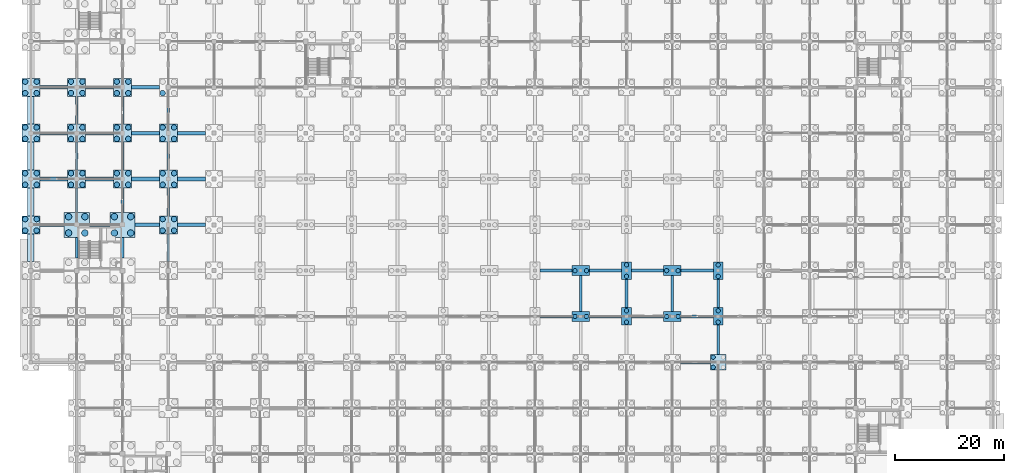
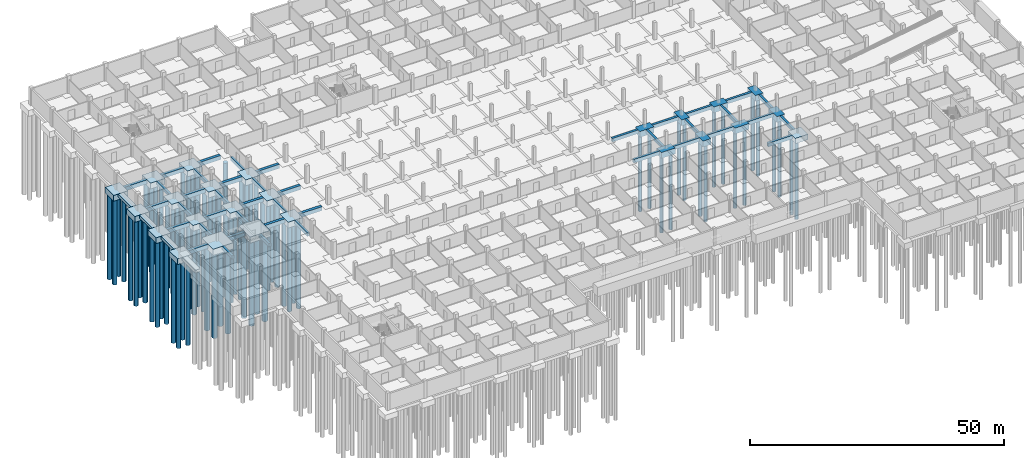
# One storey, part 6 of 43: 79 piles, 69 footings.
"""IFC4 building model written with IfcOpenShell, lengths in metres."""

from ifc_helpers import new_model, si_unit, direction, frame, origin, origin_2d, place, context, subcontext, project, spatial, rectangle, circle, extrude, material, material_profile, profile_set, type_object, element, save


model = new_model("IFC4")

# Units and contexts
model_context = context("Model", 3, precision=1e-05, world=origin(), true_north=direction((0.0, 1.0)))
body_context = subcontext(model_context, "Body", "Model", "MODEL_VIEW")
ifc_project = project(units=[si_unit("LENGTHUNIT", "METRE"), si_unit("AREAUNIT", "SQUARE_METRE"), si_unit("VOLUMEUNIT", "CUBIC_METRE"), si_unit("PLANEANGLEUNIT", "RADIAN"), si_unit("MASSUNIT", "GRAM", prefix="KILO")], contexts=[model_context])

# Site, building, storey
site_placement = place(None, origin())
site = spatial("IfcSite", under=ifc_project, at=site_placement, CompositionType="ELEMENT")
building_placement = place(site_placement, origin())
building = spatial("IfcBuilding", under=site, at=building_placement, Name="Varnapada Polytechnic", CompositionType="ELEMENT")
storey_placement = place(building_placement, frame((0.0, 0.0, -4.199951171875)))
storey = spatial("IfcBuildingStorey", under=building, at=storey_placement, Name="B1", CompositionType="ELEMENT", Elevation=-4.199951171875)

# Piles
ifc_material = material(Name="Concrete C40/50", Category="concrete")
ifc_material_profile_1 = material_profile(ifc_material, circle(Radius=0.5, at=origin_2d()), Name="BP 1000")
ifc_profile_set_1 = profile_set([ifc_material_profile_1], Name="Concrete C40/50")
pile_type_1 = type_object("IfcPileType", Name="Bored Pile BP 1000", PredefinedType="BORED", material=ifc_profile_set_1)
for number, where, z_axis, x_axis, name in (
    (1, (-1.050048828125, 66.14990234375, -1.300048828125), (0.0, 0.0, -1.0), (1.0, 0.0, 0.0), "Bored pile P-01 under CAP-00-08 (1)"),
    (2, (1.050048828125, 66.14990234375, -1.300048828125), (0.0, 0.0, -1.0), (1.0, 0.0, 0.0), "Bored pile P-01 under CAP-00-08 (2)"),
    (3, (-1.050048828125, 68.25, -1.300048828125), (0.0, 0.0, -1.0), (1.0, 0.0, 0.0), "Bored pile P-01 under CAP-00-08 (3)"),
    (4, (1.050048828125, 68.25, -1.300048828125), (0.0, 0.0, -1.0), (1.0, 0.0, 0.0), "Bored pile P-01 under CAP-00-08 (4)"),
    (5, (-1.050048828125, 74.550048828125, -1.300048828125), (0.0, 0.0, -1.0), (1.0, 0.0, 0.0), "Bored pile P-01 under CAP-00-09 (1)"),
    (6, (1.050048828125, 74.550048828125, -1.300048828125), (0.0, 0.0, -1.0), (1.0, 0.0, 0.0), "Bored pile P-01 under CAP-00-09 (2)"),
    (7, (-1.050048828125, 76.64990234375, -1.300048828125), (0.0, 0.0, -1.0), (1.0, 0.0, 0.0), "Bored pile P-01 under CAP-00-09 (3)"),
    (8, (1.050048828125, 76.64990234375, -1.300048828125), (0.0, 0.0, -1.0), (1.0, 0.0, 0.0), "Bored pile P-01 under CAP-00-09 (4)"),
    (9, (-1.050048828125, 82.949951171875, -1.300048828125), (0.0, 0.0, -1.0), (1.0, 0.0, 0.0), "Bored pile P-01 under CAP-00-10 (1)"),
    (10, (1.050048828125, 82.949951171875, -1.300048828125), (0.0, 0.0, -1.0), (1.0, 0.0, 0.0), "Bored pile P-01 under CAP-00-10 (2)"),
    (11, (-1.050048828125, 85.050048828125, -1.300048828125), (0.0, 0.0, -1.0), (1.0, 0.0, 0.0), "Bored pile P-01 under CAP-00-10 (3)"),
    (12, (1.050048828125, 85.050048828125, -1.300048828125), (0.0, 0.0, -1.0), (1.0, 0.0, 0.0), "Bored pile P-01 under CAP-00-10 (4)"),
    (13, (-1.050048828125, 91.35009765625, -1.300048828125), (0.0, 0.0, -1.0), (1.0, 0.0, 0.0), "Bored pile P-01 under CAP-00-11 (1)"),
    (14, (1.050048828125, 91.35009765625, -1.300048828125), (0.0, 0.0, -1.0), (1.0, 0.0, 0.0), "Bored pile P-01 under CAP-00-11 (2)"),
    (15, (-1.050048828125, 93.449951171875, -1.300048828125), (0.0, 0.0, -1.0), (1.0, 0.0, 0.0), "Bored pile P-01 under CAP-00-11 (3)"),
    (16, (1.050048828125, 93.449951171875, -1.300048828125), (0.0, 0.0, -1.0), (1.0, 0.0, 0.0), "Bored pile P-01 under CAP-00-11 (4)"),
    (17, (7.35009765625, 74.550048828125, -1.300048828125), (0.0, 0.0, -1.0), (1.0, 0.0, 0.0), "Bored pile P-01 under CAP-01-09 (1)"),
    (18, (9.449951171875, 74.550048828125, -1.300048828125), (0.0, 0.0, -1.0), (1.0, 0.0, 0.0), "Bored pile P-01 under CAP-01-09 (2)"),
    (19, (7.35009765625, 76.64990234375, -1.300048828125), (0.0, 0.0, -1.0), (1.0, 0.0, 0.0), "Bored pile P-01 under CAP-01-09 (3)"),
    (20, (9.449951171875, 76.64990234375, -1.300048828125), (0.0, 0.0, -1.0), (1.0, 0.0, 0.0), "Bored pile P-01 under CAP-01-09 (4)"),
    (21, (7.35009765625, 82.949951171875, -1.300048828125), (0.0, 0.0, -1.0), (1.0, 0.0, 0.0), "Bored pile P-01 under CAP-01-10 (1)"),
    (22, (9.449951171875, 82.949951171875, -1.300048828125), (0.0, 0.0, -1.0), (1.0, 0.0, 0.0), "Bored pile P-01 under CAP-01-10 (2)"),
    (23, (7.35009765625, 85.050048828125, -1.300048828125), (0.0, 0.0, -1.0), (1.0, 0.0, 0.0), "Bored pile P-01 under CAP-01-10 (3)"),
    (24, (9.449951171875, 85.050048828125, -1.300048828125), (0.0, 0.0, -1.0), (1.0, 0.0, 0.0), "Bored pile P-01 under CAP-01-10 (4)"),
    (25, (7.35009765625, 91.35009765625, -1.300048828125), (0.0, 0.0, -1.0), (1.0, 0.0, 0.0), "Bored pile P-01 under CAP-01-11 (1)"),
    (26, (9.449951171875, 91.35009765625, -1.300048828125), (0.0, 0.0, -1.0), (1.0, 0.0, 0.0), "Bored pile P-01 under CAP-01-11 (2)"),
    (27, (7.35009765625, 93.449951171875, -1.300048828125), (0.0, 0.0, -1.0), (1.0, 0.0, 0.0), "Bored pile P-01 under CAP-01-11 (3)"),
    (28, (9.449951171875, 93.449951171875, -1.300048828125), (0.0, 0.0, -1.0), (1.0, 0.0, 0.0), "Bored pile P-01 under CAP-01-11 (4)"),
    (29, (15.75, 74.550048828125, -1.300048828125), (0.0, 0.0, -1.0), (1.0, 0.0, 0.0), "Bored pile P-01 under CAP-02-09 (1)"),
    (30, (17.85009765625, 74.550048828125, -1.300048828125), (0.0, 0.0, -1.0), (1.0, 0.0, 0.0), "Bored pile P-01 under CAP-02-09 (2)"),
    (31, (15.75, 76.64990234375, -1.300048828125), (0.0, 0.0, -1.0), (1.0, 0.0, 0.0), "Bored pile P-01 under CAP-02-09 (3)"),
    (32, (17.85009765625, 76.64990234375, -1.300048828125), (0.0, 0.0, -1.0), (1.0, 0.0, 0.0), "Bored pile P-01 under CAP-02-09 (4)"),
    (33, (15.75, 82.949951171875, -1.300048828125), (0.0, 0.0, -1.0), (1.0, 0.0, 0.0), "Bored pile P-01 under CAP-02-10 (1)"),
    (34, (17.85009765625, 82.949951171875, -1.300048828125), (0.0, 0.0, -1.0), (1.0, 0.0, 0.0), "Bored pile P-01 under CAP-02-10 (2)"),
    (35, (15.75, 85.050048828125, -1.300048828125), (0.0, 0.0, -1.0), (1.0, 0.0, 0.0), "Bored pile P-01 under CAP-02-10 (3)"),
    (36, (17.85009765625, 85.050048828125, -1.300048828125), (0.0, 0.0, -1.0), (1.0, 0.0, 0.0), "Bored pile P-01 under CAP-02-10 (4)"),
    (37, (15.75, 91.35009765625, -1.300048828125), (0.0, 0.0, -1.0), (1.0, 0.0, 0.0), "Bored pile P-01 under CAP-02-11 (1)"),
    (38, (17.85009765625, 91.35009765625, -1.300048828125), (0.0, 0.0, -1.0), (1.0, 0.0, 0.0), "Bored pile P-01 under CAP-02-11 (2)"),
    (39, (15.75, 93.449951171875, -1.300048828125), (0.0, 0.0, -1.0), (1.0, 0.0, 0.0), "Bored pile P-01 under CAP-02-11 (3)"),
    (40, (17.85009765625, 93.449951171875, -1.300048828125), (0.0, 0.0, -1.0), (1.0, 0.0, 0.0), "Bored pile P-01 under CAP-02-11 (4)"),
    (41, (24.14990234375, 66.14990234375, -1.300048828125), (0.0, 0.0, -1.0), (1.0, 0.0, 0.0), "Bored pile P-01 under CAP-03-08 (1)"),
    (42, (26.25, 66.14990234375, -1.300048828125), (0.0, 0.0, -1.0), (1.0, 0.0, 0.0), "Bored pile P-01 under CAP-03-08 (2)"),
    (43, (24.14990234375, 68.25, -1.300048828125), (0.0, 0.0, -1.0), (1.0, 0.0, 0.0), "Bored pile P-01 under CAP-03-08 (3)"),
    (44, (26.25, 68.25, -1.300048828125), (0.0, 0.0, -1.0), (1.0, 0.0, 0.0), "Bored pile P-01 under CAP-03-08 (4)"),
    (45, (24.14990234375, 74.550048828125, -1.300048828125), (0.0, 0.0, -1.0), (1.0, 0.0, 0.0), "Bored pile P-01 under CAP-03-09 (1)"),
    (46, (26.25, 74.550048828125, -1.300048828125), (0.0, 0.0, -1.0), (1.0, 0.0, 0.0), "Bored pile P-01 under CAP-03-09 (2)"),
    (47, (24.14990234375, 76.64990234375, -1.300048828125), (0.0, 0.0, -1.0), (1.0, 0.0, 0.0), "Bored pile P-01 under CAP-03-09 (3)"),
    (48, (26.25, 76.64990234375, -1.300048828125), (0.0, 0.0, -1.0), (1.0, 0.0, 0.0), "Bored pile P-01 under CAP-03-09 (4)"),
    (49, (24.14990234375, 82.949951171875, -1.300048828125), (0.0, 0.0, -1.0), (1.0, 0.0, 0.0), "Bored pile P-01 under CAP-03-10 (1)"),
    (50, (26.25, 82.949951171875, -1.300048828125), (0.0, 0.0, -1.0), (1.0, 0.0, 0.0), "Bored pile P-01 under CAP-03-10 (2)"),
    (51, (24.14990234375, 85.050048828125, -1.300048828125), (0.0, 0.0, -1.0), (1.0, 0.0, 0.0), "Bored pile P-01 under CAP-03-10 (3)"),
    (52, (26.25, 85.050048828125, -1.300048828125), (0.0, 0.0, -1.0), (1.0, 0.0, 0.0), "Bored pile P-01 under CAP-03-10 (4)"),
    (53, (24.14990234375, 91.35009765625, -1.300048828125), (0.0, 0.0, -1.0), (1.0, 0.0, 0.0), "Bored pile P-01 under CAP-03-11 (1)"),
):
    element("IfcPile", number, at=place(storey_placement, frame(where, z_axis=z_axis, x_axis=x_axis)), inside=storey, type_object=pile_type_1, Name=name, PredefinedType="BORED", context=body_context, shape_type="SweptSolid", body=[
        extrude(circle(Radius=0.5, at=origin_2d()), origin(), (0.0, 0.0, 1.0), 20.5),
    ])
ifc_material_profile_2 = material_profile(ifc_material, circle(Radius=0.60009765625, at=origin_2d()), Name="BP 1200")
ifc_profile_set_2 = profile_set([ifc_material_profile_2], Name="Concrete C40/50")
pile_type_2 = type_object("IfcPileType", Name="Bored Pile BP 1200", PredefinedType="BORED", material=ifc_profile_set_2)
for number, where, z_axis, x_axis, name in (
    (54, (6.89990234375, 65.699951171875, -1.400146484375), (0.0, 0.0, -1.0), (1.0, 0.0, 0.0), "Bored pile P-06 under CAP-01-08 (1)"),
    (55, (9.89990234375, 65.699951171875, -1.400146484375), (0.0, 0.0, -1.0), (1.0, 0.0, 0.0), "Bored pile P-06 under CAP-01-08 (2)"),
    (56, (6.89990234375, 68.699951171875, -1.400146484375), (0.0, 0.0, -1.0), (1.0, 0.0, 0.0), "Bored pile P-06 under CAP-01-08 (3)"),
    (57, (9.89990234375, 68.699951171875, -1.400146484375), (0.0, 0.0, -1.0), (1.0, 0.0, 0.0), "Bored pile P-06 under CAP-01-08 (4)"),
    (58, (15.300048828125, 65.699951171875, -1.400146484375), (0.0, 0.0, -1.0), (1.0, 0.0, 0.0), "Bored pile P-06 under CAP-02-08 (1)"),
    (59, (18.300048828125, 65.699951171875, -1.400146484375), (0.0, 0.0, -1.0), (1.0, 0.0, 0.0), "Bored pile P-06 under CAP-02-08 (2)"),
    (60, (15.300048828125, 68.699951171875, -1.400146484375), (0.0, 0.0, -1.0), (1.0, 0.0, 0.0), "Bored pile P-06 under CAP-02-08 (3)"),
    (61, (18.300048828125, 68.699951171875, -1.400146484375), (0.0, 0.0, -1.0), (1.0, 0.0, 0.0), "Bored pile P-06 under CAP-02-08 (4)"),
):
    element("IfcPile", number, at=place(storey_placement, frame(where, z_axis=z_axis, x_axis=x_axis)), inside=storey, type_object=pile_type_2, Name=name, PredefinedType="BORED", context=body_context, shape_type="SweptSolid", body=[
        extrude(circle(Radius=0.60009765625, at=origin_2d()), origin(), (0.0, 0.0, 1.0), 20.39990234375),
    ])
ifc_material_profile_3 = material_profile(ifc_material, circle(Radius=0.39990234375, at=origin_2d()), Name="BP 800")
ifc_profile_set_3 = profile_set([ifc_material_profile_3], Name="Concrete C40/50")
pile_type_3 = type_object("IfcPileType", Name="Bored Pile BP 800", PredefinedType="BORED", material=ifc_profile_set_3)
for number, where, z_axis, x_axis, name in (
    (62, (99.75, 50.39990234375, -1.300048828125), (0.0, 0.0, -1.0), (1.0, 0.0, 0.0), "Bored pile P-03 under CAP-12-06 (1)"),
    (63, (101.85009765625, 50.39990234375, -1.300048828125), (0.0, 0.0, -1.0), (1.0, 0.0, 0.0), "Bored pile P-03 under CAP-12-06 (2)"),
    (64, (99.75, 58.800048828125, -1.300048828125), (0.0, 0.0, -1.0), (1.0, 0.0, 0.0), "Bored pile P-03 under CAP-12-07 (1)"),
    (65, (101.85009765625, 58.800048828125, -1.300048828125), (0.0, 0.0, -1.0), (1.0, 0.0, 0.0), "Bored pile P-03 under CAP-12-07 (2)"),
    (66, (109.199951171875, 49.35009765625, -1.300048828125), (0.0, 0.0, -1.0), (1.0, 0.0, 0.0), "Bored pile P-03 under CAP-13-06 (1)"),
    (67, (109.199951171875, 51.449951171875, -1.300048828125), (0.0, 0.0, -1.0), (1.0, 0.0, 0.0), "Bored pile P-03 under CAP-13-06 (2)"),
    (68, (109.199951171875, 57.75, -1.300048828125), (0.0, 0.0, -1.0), (1.0, 0.0, 0.0), "Bored pile P-03 under CAP-13-07 (1)"),
    (69, (109.199951171875, 59.85009765625, -1.300048828125), (0.0, 0.0, -1.0), (1.0, 0.0, 0.0), "Bored pile P-03 under CAP-13-07 (2)"),
    (70, (116.550048828125, 50.39990234375, -1.300048828125), (0.0, 0.0, -1.0), (1.0, 0.0, 0.0), "Bored pile P-03 under CAP-14-06 (1)"),
    (71, (118.64990234375, 50.39990234375, -1.300048828125), (0.0, 0.0, -1.0), (1.0, 0.0, 0.0), "Bored pile P-03 under CAP-14-06 (2)"),
    (72, (116.550048828125, 58.800048828125, -1.300048828125), (0.0, 0.0, -1.0), (1.0, 0.0, 0.0), "Bored pile P-03 under CAP-14-07 (1)"),
    (73, (118.64990234375, 58.800048828125, -1.300048828125), (0.0, 0.0, -1.0), (1.0, 0.0, 0.0), "Bored pile P-03 under CAP-14-07 (2)"),
):
    element("IfcPile", number, at=place(storey_placement, frame(where, z_axis=z_axis, x_axis=x_axis)), inside=storey, type_object=pile_type_3, Name=name, PredefinedType="BORED", context=body_context, shape_type="SweptSolid", body=[
        extrude(circle(Radius=0.39990234375, at=origin_2d()), origin(), (0.0, 0.0, 1.0), 18.5),
    ])
for number, where, z_axis, x_axis, name in (
    (74, (125.080078125, 41.080078125, -1.199951171875), (0.0, 0.0, -1.0), (1.0, 0.0, 0.0), "Bored pile P-03 under CAP-15-05 (1)"),
    (75, (125.080078125, 42.919921875, -1.199951171875), (0.0, 0.0, -1.0), (1.0, 0.0, 0.0), "Bored pile P-03 under CAP-15-05 (3)"),
):
    element("IfcPile", number, at=place(storey_placement, frame(where, z_axis=z_axis, x_axis=x_axis)), inside=storey, type_object=pile_type_3, Name=name, PredefinedType="BORED", context=body_context, shape_type="SweptSolid", body=[
        extrude(circle(Radius=0.39990234375, at=origin_2d()), origin(), (0.0, 0.0, 1.0), 18.60009765625),
    ])
for number, where, z_axis, x_axis, name in (
    (76, (126.0, 49.35009765625, -1.300048828125), (0.0, 0.0, -1.0), (1.0, 0.0, 0.0), "Bored pile P-03 under CAP-15-06 (1)"),
    (77, (126.0, 51.449951171875, -1.300048828125), (0.0, 0.0, -1.0), (1.0, 0.0, 0.0), "Bored pile P-03 under CAP-15-06 (2)"),
    (78, (126.0, 57.75, -1.300048828125), (0.0, 0.0, -1.0), (1.0, 0.0, 0.0), "Bored pile P-03 under CAP-15-07 (1)"),
    (79, (126.0, 59.85009765625, -1.300048828125), (0.0, 0.0, -1.0), (1.0, 0.0, 0.0), "Bored pile P-03 under CAP-15-07 (2)"),
):
    element("IfcPile", number, at=place(storey_placement, frame(where, z_axis=z_axis, x_axis=x_axis)), inside=storey, type_object=pile_type_3, Name=name, PredefinedType="BORED", context=body_context, shape_type="SweptSolid", body=[
        extrude(circle(Radius=0.39990234375, at=origin_2d()), origin(), (0.0, 0.0, 1.0), 18.5),
    ])

# Footings
footing_type_1 = type_object("IfcFootingType", Name="Footing GB-02", PredefinedType="FOOTING_BEAM", material=ifc_material)
footing_1_placement = place(storey_placement, frame((8.39990234375, 63.0, -0.80029296875), z_axis=(0.0, 0.0, 1.0), x_axis=(0.0, 1.0, 0.0)))
element("IfcFooting", 80, at=footing_1_placement, inside=storey, type_object=footing_type_1, Name="Ground footing beam GB-02 Y 8-9", PredefinedType="FOOTING_BEAM", context=body_context, shape_type="SweptSolid", body=[
    extrude(rectangle(XDim=3.800048828125, YDim=0.5, at=origin_2d()), origin(), (0.0, 0.0, 1.0), 0.800048828125),
])
footing_2_placement = place(storey_placement, frame((8.39990234375, 71.72509765625, -0.80029296875), z_axis=(0.0, 0.0, 1.0), x_axis=(0.0, 1.0, 0.0)))
element("IfcFooting", 81, at=footing_2_placement, inside=storey, type_object=footing_type_1, Name="Ground footing beam GB-02 Y 9-10", PredefinedType="FOOTING_BEAM", context=body_context, shape_type="SweptSolid", body=[
    extrude(rectangle(XDim=4.449951171875, YDim=0.5, at=origin_2d()), origin(), (0.0, 0.0, 1.0), 0.800048828125),
])
for number, where, z_axis, x_axis, name in (
    (82, (8.39990234375, 79.800048828125, -0.80029296875), (0.0, 0.0, 1.0), (0.0, 1.0, 0.0), "Ground footing beam GB-02 Y 10-11"),
    (83, (8.39990234375, 88.199951171875, -0.80029296875), (0.0, 0.0, 1.0), (0.0, 1.0, 0.0), "Ground footing beam GB-02 Y 11-12"),
):
    element("IfcFooting", number, at=place(storey_placement, frame(where, z_axis=z_axis, x_axis=x_axis)), inside=storey, type_object=footing_type_1, Name=name, PredefinedType="FOOTING_BEAM", context=body_context, shape_type="SweptSolid", body=[
        extrude(rectangle(XDim=5.10009765625, YDim=0.5, at=origin_2d()), origin(), (0.0, 0.0, 1.0), 0.800048828125),
    ])
footing_3_placement = place(storey_placement, frame((16.800048828125, 63.0, -0.80029296875), z_axis=(0.0, 0.0, 1.0), x_axis=(0.0, 1.0, 0.0)))
element("IfcFooting", 84, at=footing_3_placement, inside=storey, type_object=footing_type_1, Name="Ground footing beam GB-02 Y 8-9", PredefinedType="FOOTING_BEAM", context=body_context, shape_type="SweptSolid", body=[
    extrude(rectangle(XDim=3.800048828125, YDim=0.5, at=origin_2d()), origin(), (0.0, 0.0, 1.0), 0.800048828125),
])
footing_4_placement = place(storey_placement, frame((16.800048828125, 71.72509765625, -0.80029296875), z_axis=(0.0, 0.0, 1.0), x_axis=(0.0, 1.0, 0.0)))
element("IfcFooting", 85, at=footing_4_placement, inside=storey, type_object=footing_type_1, Name="Ground footing beam GB-02 Y 9-10", PredefinedType="FOOTING_BEAM", context=body_context, shape_type="SweptSolid", body=[
    extrude(rectangle(XDim=4.449951171875, YDim=0.5, at=origin_2d()), origin(), (0.0, 0.0, 1.0), 0.800048828125),
])
for number, where, z_axis, x_axis, name in (
    (86, (16.800048828125, 79.800048828125, -0.80029296875), (0.0, 0.0, 1.0), (0.0, 1.0, 0.0), "Ground footing beam GB-02 Y 10-11"),
    (87, (16.800048828125, 88.199951171875, -0.80029296875), (0.0, 0.0, 1.0), (0.0, 1.0, 0.0), "Ground footing beam GB-02 Y 11-12"),
    (88, (25.199951171875, 63.0, -0.80029296875), (0.0, 0.0, 1.0), (0.0, 1.0, 0.0), "Ground footing beam GB-02 Y 8-9"),
    (89, (25.199951171875, 71.39990234375, -0.80029296875), (0.0, 0.0, 1.0), (0.0, 1.0, 0.0), "Ground footing beam GB-02 Y 9-10"),
    (90, (25.199951171875, 79.800048828125, -0.80029296875), (0.0, 0.0, 1.0), (0.0, 1.0, 0.0), "Ground footing beam GB-02 Y 10-11"),
    (91, (25.199951171875, 88.199951171875, -0.80029296875), (0.0, 0.0, 1.0), (0.0, 1.0, 0.0), "Ground footing beam GB-02 Y 11-12"),
):
    element("IfcFooting", number, at=place(storey_placement, frame(where, z_axis=z_axis, x_axis=x_axis)), inside=storey, type_object=footing_type_1, Name=name, PredefinedType="FOOTING_BEAM", context=body_context, shape_type="SweptSolid", body=[
        extrude(rectangle(XDim=5.10009765625, YDim=0.5, at=origin_2d()), origin(), (0.0, 0.0, 1.0), 0.800048828125),
    ])
footing_5_placement = place(storey_placement, frame((100.800048828125, 54.60009765625, -0.80029296875), z_axis=(0.0, 0.0, 1.0), x_axis=(0.0, 1.0, 0.0)))
element("IfcFooting", 92, at=footing_5_placement, inside=storey, type_object=footing_type_1, Name="Ground footing beam GB-02 Y 7-8", PredefinedType="FOOTING_BEAM", context=body_context, shape_type="SweptSolid", body=[
    extrude(rectangle(XDim=6.60009765625, YDim=0.5, at=origin_2d()), origin(), (0.0, 0.0, 1.0), 0.800048828125),
])
footing_6_placement = place(storey_placement, frame((109.199951171875, 54.60009765625, -0.80029296875), z_axis=(0.0, 0.0, 1.0), x_axis=(0.0, 1.0, 0.0)))
element("IfcFooting", 93, at=footing_6_placement, inside=storey, type_object=footing_type_1, Name="Ground footing beam GB-02 Y 7-8", PredefinedType="FOOTING_BEAM", context=body_context, shape_type="SweptSolid", body=[
    extrude(rectangle(XDim=5.199951171875, YDim=0.5, at=origin_2d()), origin(), (0.0, 0.0, 1.0), 0.800048828125),
])
footing_7_placement = place(storey_placement, frame((117.60009765625, 54.60009765625, -0.80029296875), z_axis=(0.0, 0.0, 1.0), x_axis=(0.0, 1.0, 0.0)))
element("IfcFooting", 94, at=footing_7_placement, inside=storey, type_object=footing_type_1, Name="Ground footing beam GB-02 Y 7-8", PredefinedType="FOOTING_BEAM", context=body_context, shape_type="SweptSolid", body=[
    extrude(rectangle(XDim=6.60009765625, YDim=0.5, at=origin_2d()), origin(), (0.0, 0.0, 1.0), 0.800048828125),
])
footing_8_placement = place(storey_placement, frame((126.0, 46.125, -0.80029296875), z_axis=(0.0, 0.0, 1.0), x_axis=(0.0, 1.0, 0.0)))
element("IfcFooting", 95, at=footing_8_placement, inside=storey, type_object=footing_type_1, Name="Ground footing beam GB-02 Y 6-7", PredefinedType="FOOTING_BEAM", context=body_context, shape_type="SweptSolid", body=[
    extrude(rectangle(XDim=5.35009765625, YDim=0.5, at=origin_2d()), origin(), (0.0, 0.0, 1.0), 0.800048828125),
])
footing_9_placement = place(storey_placement, frame((126.0, 54.60009765625, -0.80029296875), z_axis=(0.0, 0.0, 1.0), x_axis=(0.0, 1.0, 0.0)))
element("IfcFooting", 96, at=footing_9_placement, inside=storey, type_object=footing_type_1, Name="Ground footing beam GB-02 Y 7-8", PredefinedType="FOOTING_BEAM", context=body_context, shape_type="SweptSolid", body=[
    extrude(rectangle(XDim=5.199951171875, YDim=0.5, at=origin_2d()), origin(), (0.0, 0.0, 1.0), 0.800048828125),
])
footing_type_2 = type_object("IfcFootingType", Name="Footing GB-03", PredefinedType="FOOTING_BEAM", material=ifc_material)
footing_10_placement = place(storey_placement, frame((3.875, 67.199951171875, -0.9501953125), z_axis=(0.0, 0.0, 1.0), x_axis=(1.0, 0.0, 0.0)))
element("IfcFooting", 97, at=footing_10_placement, inside=storey, type_object=footing_type_2, Name="Ground footing beam GB-03 X 1-2", PredefinedType="FOOTING_BEAM", context=body_context, shape_type="SweptSolid", body=[
    extrude(rectangle(XDim=4.449951171875, YDim=0.64990234375, at=origin_2d()), origin(), (0.0, 0.0, 1.0), 0.949951171875),
])
for number, where, z_axis, x_axis, name in (
    (98, (4.199951171875, 75.60009765625, -0.9501953125), (0.0, 0.0, 1.0), (1.0, 0.0, 0.0), "Ground footing beam GB-03 X 1-2"),
    (99, (4.199951171875, 84.0, -0.9501953125), (0.0, 0.0, 1.0), (1.0, 0.0, 0.0), "Ground footing beam GB-03 X 1-2"),
    (100, (4.199951171875, 92.39990234375, -0.9501953125), (0.0, 0.0, 1.0), (1.0, 0.0, 0.0), "Ground footing beam GB-03 X 1-2"),
):
    element("IfcFooting", number, at=place(storey_placement, frame(where, z_axis=z_axis, x_axis=x_axis)), inside=storey, type_object=footing_type_2, Name=name, PredefinedType="FOOTING_BEAM", context=body_context, shape_type="SweptSolid", body=[
        extrude(rectangle(XDim=5.10009765625, YDim=0.64990234375, at=origin_2d()), origin(), (0.0, 0.0, 1.0), 0.949951171875),
    ])
footing_11_placement = place(storey_placement, frame((12.60009765625, 67.199951171875, -0.9501953125), z_axis=(0.0, 0.0, 1.0), x_axis=(1.0, 0.0, 0.0)))
element("IfcFooting", 101, at=footing_11_placement, inside=storey, type_object=footing_type_2, Name="Ground footing beam GB-03 X 2-3", PredefinedType="FOOTING_BEAM", context=body_context, shape_type="SweptSolid", body=[
    extrude(rectangle(XDim=3.800048828125, YDim=0.64990234375, at=origin_2d()), origin(), (0.0, 0.0, 1.0), 0.949951171875),
])
for number, where, z_axis, x_axis, name in (
    (102, (12.60009765625, 75.60009765625, -0.9501953125), (0.0, 0.0, 1.0), (1.0, 0.0, 0.0), "Ground footing beam GB-03 X 2-3"),
    (103, (12.60009765625, 84.0, -0.9501953125), (0.0, 0.0, 1.0), (1.0, 0.0, 0.0), "Ground footing beam GB-03 X 2-3"),
    (104, (12.60009765625, 92.39990234375, -0.9501953125), (0.0, 0.0, 1.0), (1.0, 0.0, 0.0), "Ground footing beam GB-03 X 2-3"),
):
    element("IfcFooting", number, at=place(storey_placement, frame(where, z_axis=z_axis, x_axis=x_axis)), inside=storey, type_object=footing_type_2, Name=name, PredefinedType="FOOTING_BEAM", context=body_context, shape_type="SweptSolid", body=[
        extrude(rectangle(XDim=5.10009765625, YDim=0.64990234375, at=origin_2d()), origin(), (0.0, 0.0, 1.0), 0.949951171875),
    ])
footing_12_placement = place(storey_placement, frame((21.324951171875, 67.199951171875, -0.9501953125), z_axis=(0.0, 0.0, 1.0), x_axis=(1.0, 0.0, 0.0)))
element("IfcFooting", 105, at=footing_12_placement, inside=storey, type_object=footing_type_2, Name="Ground footing beam GB-03 X 3-4", PredefinedType="FOOTING_BEAM", context=body_context, shape_type="SweptSolid", body=[
    extrude(rectangle(XDim=4.449951171875, YDim=0.64990234375, at=origin_2d()), origin(), (0.0, 0.0, 1.0), 0.949951171875),
])
for number, where, z_axis, x_axis, name in (
    (106, (21.0, 75.60009765625, -0.9501953125), (0.0, 0.0, 1.0), (1.0, 0.0, 0.0), "Ground footing beam GB-03 X 3-4"),
    (107, (21.0, 84.0, -0.9501953125), (0.0, 0.0, 1.0), (1.0, 0.0, 0.0), "Ground footing beam GB-03 X 3-4"),
    (108, (21.0, 92.39990234375, -0.9501953125), (0.0, 0.0, 1.0), (1.0, 0.0, 0.0), "Ground footing beam GB-03 X 3-4"),
):
    element("IfcFooting", number, at=place(storey_placement, frame(where, z_axis=z_axis, x_axis=x_axis)), inside=storey, type_object=footing_type_2, Name=name, PredefinedType="FOOTING_BEAM", context=body_context, shape_type="SweptSolid", body=[
        extrude(rectangle(XDim=5.10009765625, YDim=0.64990234375, at=origin_2d()), origin(), (0.0, 0.0, 1.0), 0.949951171875),
    ])
for number, where, z_axis, x_axis, name in (
    (109, (29.449951171875, 67.199951171875, -0.9501953125), (0.0, 0.0, 1.0), (1.0, 0.0, 0.0), "Ground footing beam GB-03 X 4-5"),
    (110, (29.449951171875, 75.60009765625, -0.9501953125), (0.0, 0.0, 1.0), (1.0, 0.0, 0.0), "Ground footing beam GB-03 X 4-5"),
    (111, (29.449951171875, 84.0, -0.9501953125), (0.0, 0.0, 1.0), (1.0, 0.0, 0.0), "Ground footing beam GB-03 X 4-5"),
):
    element("IfcFooting", number, at=place(storey_placement, frame(where, z_axis=z_axis, x_axis=x_axis)), inside=storey, type_object=footing_type_2, Name=name, PredefinedType="FOOTING_BEAM", context=body_context, shape_type="SweptSolid", body=[
        extrude(rectangle(XDim=5.199951171875, YDim=0.64990234375, at=origin_2d()), origin(), (0.0, 0.0, 1.0), 0.949951171875),
    ])
footing_type_3 = type_object("IfcFootingType", Name="Footing GB-04", PredefinedType="FOOTING_BEAM", material=ifc_material)
for number, where, z_axis, x_axis, name in (
    (112, (96.25, 50.39990234375, -0.85009765625), (0.0, 0.0, 1.0), (1.0, 0.0, 0.0), "Ground footing beam GB-04 X 12-13"),
    (113, (96.25, 58.800048828125, -0.85009765625), (0.0, 0.0, 1.0), (1.0, 0.0, 0.0), "Ground footing beam GB-04 X 12-13"),
    (114, (105.35009765625, 50.39990234375, -0.85009765625), (0.0, 0.0, 1.0), (1.0, 0.0, 0.0), "Ground footing beam GB-04 X 13-14"),
    (115, (105.35009765625, 58.800048828125, -0.85009765625), (0.0, 0.0, 1.0), (1.0, 0.0, 0.0), "Ground footing beam GB-04 X 13-14"),
    (116, (113.050048828125, 50.39990234375, -0.85009765625), (0.0, 0.0, 1.0), (1.0, 0.0, 0.0), "Ground footing beam GB-04 X 14-15"),
    (117, (113.050048828125, 58.800048828125, -0.85009765625), (0.0, 0.0, 1.0), (1.0, 0.0, 0.0), "Ground footing beam GB-04 X 14-15"),
):
    element("IfcFooting", number, at=place(storey_placement, frame(where, z_axis=z_axis, x_axis=x_axis)), inside=storey, type_object=footing_type_3, Name=name, PredefinedType="FOOTING_BEAM", context=body_context, shape_type="SweptSolid", body=[
        extrude(rectangle(XDim=5.89990234375, YDim=0.550048828125, at=origin_2d()), origin(), (0.0, 0.0, 1.0), 0.85009765625),
    ])
footing_13_placement = place(storey_placement, frame((121.800048828125, 42.0, -0.85009765625), z_axis=(0.0, 0.0, 1.0), x_axis=(1.0, 0.0, 0.0)))
element("IfcFooting", 118, at=footing_13_placement, inside=storey, type_object=footing_type_3, Name="Ground footing beam GB-04 X 15-16", PredefinedType="FOOTING_BEAM", context=body_context, shape_type="SweptSolid", body=[
    extrude(rectangle(XDim=5.5, YDim=0.550048828125, at=origin_2d()), origin(), (0.0, 0.0, 1.0), 0.85009765625),
])
for number, where, z_axis, x_axis, name in (
    (119, (122.14990234375, 50.39990234375, -0.85009765625), (0.0, 0.0, 1.0), (1.0, 0.0, 0.0), "Ground footing beam GB-04 X 15-16"),
    (120, (122.14990234375, 58.800048828125, -0.85009765625), (0.0, 0.0, 1.0), (1.0, 0.0, 0.0), "Ground footing beam GB-04 X 15-16"),
):
    element("IfcFooting", number, at=place(storey_placement, frame(where, z_axis=z_axis, x_axis=x_axis)), inside=storey, type_object=footing_type_3, Name=name, PredefinedType="FOOTING_BEAM", context=body_context, shape_type="SweptSolid", body=[
        extrude(rectangle(XDim=5.89990234375, YDim=0.550048828125, at=origin_2d()), origin(), (0.0, 0.0, 1.0), 0.85009765625),
    ])
footing_type_4 = type_object("IfcFootingType", Name="Footing PC-02", PredefinedType="PILE_CAP", material=ifc_material)
for number, where, z_axis, x_axis, name in (
    (121, (0.0, 67.199951171875, -1.39990234375), (0.0, 0.0, 1.0), (1.0, 0.0, 0.0), "Pile cap PC-02 at grid 1/9"),
    (122, (0.0, 75.60009765625, -1.39990234375), (0.0, 0.0, 1.0), (1.0, 0.0, 0.0), "Pile cap PC-02 at grid 1/10"),
    (123, (0.0, 84.0, -1.39990234375), (0.0, 0.0, 1.0), (1.0, 0.0, 0.0), "Pile cap PC-02 at grid 1/11"),
    (124, (0.0, 92.39990234375, -1.39990234375), (0.0, 0.0, 1.0), (1.0, 0.0, 0.0), "Pile cap PC-02 at grid 1/12"),
    (125, (8.39990234375, 75.60009765625, -1.39990234375), (0.0, 0.0, 1.0), (1.0, 0.0, 0.0), "Pile cap PC-02 at grid 2/10"),
    (126, (8.39990234375, 84.0, -1.39990234375), (0.0, 0.0, 1.0), (1.0, 0.0, 0.0), "Pile cap PC-02 at grid 2/11"),
    (127, (8.39990234375, 92.39990234375, -1.39990234375), (0.0, 0.0, 1.0), (1.0, 0.0, 0.0), "Pile cap PC-02 at grid 2/12"),
    (128, (16.800048828125, 75.60009765625, -1.39990234375), (0.0, 0.0, 1.0), (1.0, 0.0, 0.0), "Pile cap PC-02 at grid 3/10"),
    (129, (16.800048828125, 84.0, -1.39990234375), (0.0, 0.0, 1.0), (1.0, 0.0, 0.0), "Pile cap PC-02 at grid 3/11"),
    (130, (16.800048828125, 92.39990234375, -1.39990234375), (0.0, 0.0, 1.0), (1.0, 0.0, 0.0), "Pile cap PC-02 at grid 3/12"),
    (131, (25.199951171875, 67.199951171875, -1.39990234375), (0.0, 0.0, 1.0), (1.0, 0.0, 0.0), "Pile cap PC-02 at grid 4/9"),
    (132, (25.199951171875, 75.60009765625, -1.39990234375), (0.0, 0.0, 1.0), (1.0, 0.0, 0.0), "Pile cap PC-02 at grid 4/10"),
    (133, (25.199951171875, 84.0, -1.39990234375), (0.0, 0.0, 1.0), (1.0, 0.0, 0.0), "Pile cap PC-02 at grid 4/11"),
):
    element("IfcFooting", number, at=place(storey_placement, frame(where, z_axis=z_axis, x_axis=x_axis)), inside=storey, type_object=footing_type_4, Name=name, PredefinedType="PILE_CAP", context=body_context, shape_type="SweptSolid", body=[
        extrude(rectangle(XDim=3.300048828125, YDim=3.300048828125, at=origin_2d()), origin(), (0.0, 0.0, 1.0), 1.39990234375),
    ])
footing_type_5 = type_object("IfcFootingType", Name="Footing PC-04", PredefinedType="PILE_CAP", material=ifc_material)
for number, where, z_axis, x_axis, name in (
    (134, (100.800048828125, 50.39990234375, -1.39990234375), (0.0, 0.0, 1.0), (1.0, 0.0, 0.0), "Pile cap PC-04 at grid 13/7"),
    (135, (100.800048828125, 58.800048828125, -1.39990234375), (0.0, 0.0, 1.0), (1.0, 0.0, 0.0), "Pile cap PC-04 at grid 13/8"),
    (136, (117.60009765625, 50.39990234375, -1.39990234375), (0.0, 0.0, 1.0), (1.0, 0.0, 0.0), "Pile cap PC-04 at grid 15/7"),
    (137, (117.60009765625, 58.800048828125, -1.39990234375), (0.0, 0.0, 1.0), (1.0, 0.0, 0.0), "Pile cap PC-04 at grid 15/8"),
):
    element("IfcFooting", number, at=place(storey_placement, frame(where, z_axis=z_axis, x_axis=x_axis)), inside=storey, type_object=footing_type_5, Name=name, PredefinedType="PILE_CAP", context=body_context, shape_type="SweptSolid", body=[
        extrude(rectangle(XDim=3.199951171875, YDim=1.800048828125, at=origin_2d()), origin(), (0.0, 0.0, 1.0), 1.39990234375),
    ])
footing_type_6 = type_object("IfcFootingType", Name="Footing PC-05", PredefinedType="PILE_CAP", material=ifc_material)
for number, where, z_axis, x_axis, name in (
    (138, (109.199951171875, 50.39990234375, -1.39990234375), (0.0, 0.0, 1.0), (1.0, 0.0, 0.0), "Pile cap PC-05 at grid 14/7"),
    (139, (109.199951171875, 58.800048828125, -1.39990234375), (0.0, 0.0, 1.0), (1.0, 0.0, 0.0), "Pile cap PC-05 at grid 14/8"),
    (140, (126.0, 50.39990234375, -1.39990234375), (0.0, 0.0, 1.0), (1.0, 0.0, 0.0), "Pile cap PC-05 at grid 16/7"),
    (141, (126.0, 58.800048828125, -1.39990234375), (0.0, 0.0, 1.0), (1.0, 0.0, 0.0), "Pile cap PC-05 at grid 16/8"),
):
    element("IfcFooting", number, at=place(storey_placement, frame(where, z_axis=z_axis, x_axis=x_axis)), inside=storey, type_object=footing_type_6, Name=name, PredefinedType="PILE_CAP", context=body_context, shape_type="SweptSolid", body=[
        extrude(rectangle(XDim=1.800048828125, YDim=3.199951171875, at=origin_2d()), origin(), (0.0, 0.0, 1.0), 1.39990234375),
    ])
footing_type_7 = type_object("IfcFootingType", Name="Footing PC-09", PredefinedType="PILE_CAP", material=ifc_material)
footing_14_placement = place(storey_placement, frame((126.0, 42.0, -1.30029296875), z_axis=(0.0, 0.0, 1.0), x_axis=(1.0, 0.0, 0.0)))
element("IfcFooting", 142, at=footing_14_placement, inside=storey, type_object=footing_type_7, Name="Pile cap PC-09 at grid 16/6", PredefinedType="PILE_CAP", context=body_context, shape_type="SweptSolid", body=[
    extrude(rectangle(XDim=2.89990234375, YDim=2.89990234375, at=origin_2d()), origin(), (0.0, 0.0, 1.0), 1.300048828125),
])
footing_type_8 = type_object("IfcFootingType", Name="Footing PC-13", PredefinedType="PILE_CAP", material=ifc_material)
for number, where, z_axis, x_axis, name in (
    (143, (8.39990234375, 67.199951171875, -1.5), (0.0, 0.0, 1.0), (1.0, 0.0, 0.0), "Pile cap PC-13 at grid 2/9"),
    (144, (16.800048828125, 67.199951171875, -1.5), (0.0, 0.0, 1.0), (1.0, 0.0, 0.0), "Pile cap PC-13 at grid 3/9"),
):
    element("IfcFooting", number, at=place(storey_placement, frame(where, z_axis=z_axis, x_axis=x_axis)), inside=storey, type_object=footing_type_8, Name=name, PredefinedType="PILE_CAP", context=body_context, shape_type="SweptSolid", body=[
        extrude(rectangle(XDim=4.60009765625, YDim=4.60009765625, at=origin_2d()), origin(), (0.0, 0.0, 1.0), 1.5),
    ])
footing_type_9 = type_object("IfcFootingType", Name="Footing SF-01", PredefinedType="STRIP_FOOTING", material=ifc_material)
for number, where, z_axis, x_axis, name in (
    (145, (0.0, 63.0, -0.7001953125), (0.0, 0.0, 1.0), (0.0, 1.0, 0.0), "Ground footing beam SF-01 Y 8-9"),
    (146, (0.0, 71.39990234375, -0.7001953125), (0.0, 0.0, 1.0), (0.0, 1.0, 0.0), "Ground footing beam SF-01 Y 9-10"),
    (147, (0.0, 79.800048828125, -0.7001953125), (0.0, 0.0, 1.0), (0.0, 1.0, 0.0), "Ground footing beam SF-01 Y 10-11"),
    (148, (0.0, 88.199951171875, -0.7001953125), (0.0, 0.0, 1.0), (0.0, 1.0, 0.0), "Ground footing beam SF-01 Y 11-12"),
):
    element("IfcFooting", number, at=place(storey_placement, frame(where, z_axis=z_axis, x_axis=x_axis)), inside=storey, type_object=footing_type_9, Name=name, PredefinedType="STRIP_FOOTING", context=body_context, shape_type="SweptSolid", body=[
        extrude(rectangle(XDim=5.10009765625, YDim=1.199951171875, at=origin_2d()), origin(), (0.0, 0.0, 1.0), 0.699951171875),
    ])

save(model, "model.ifc")
